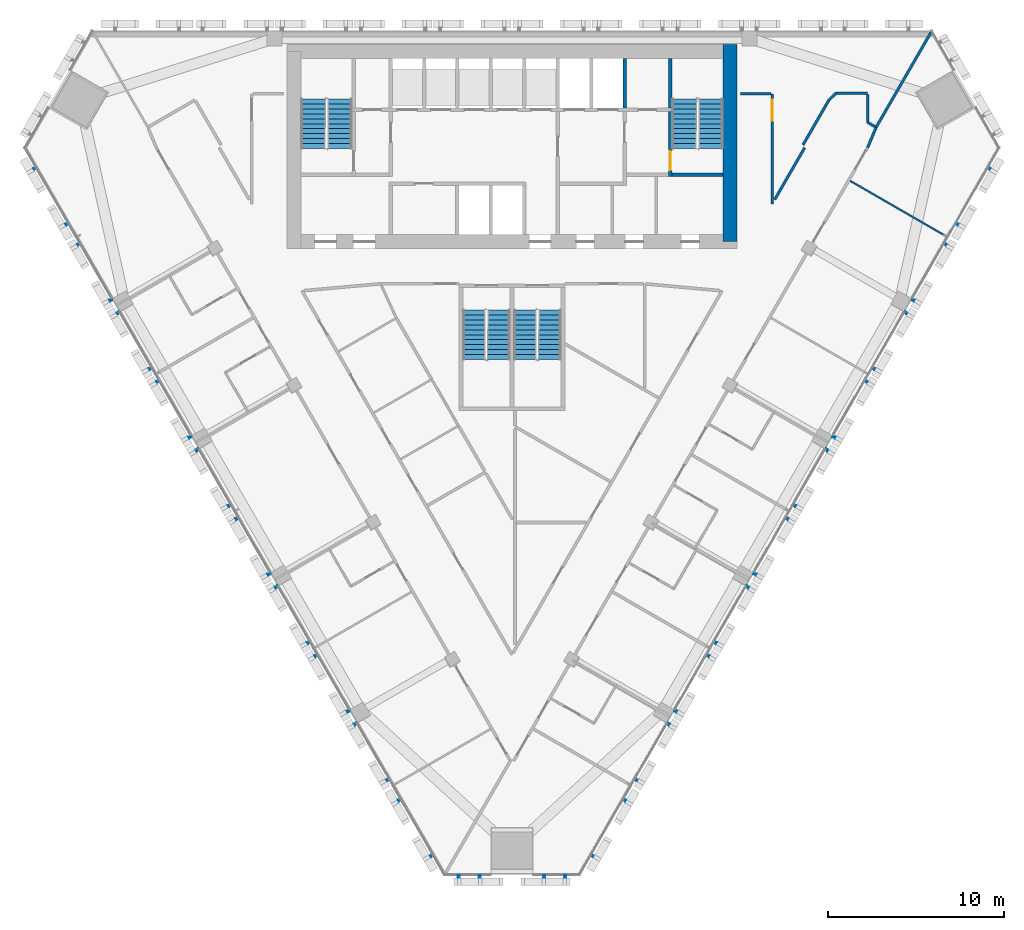
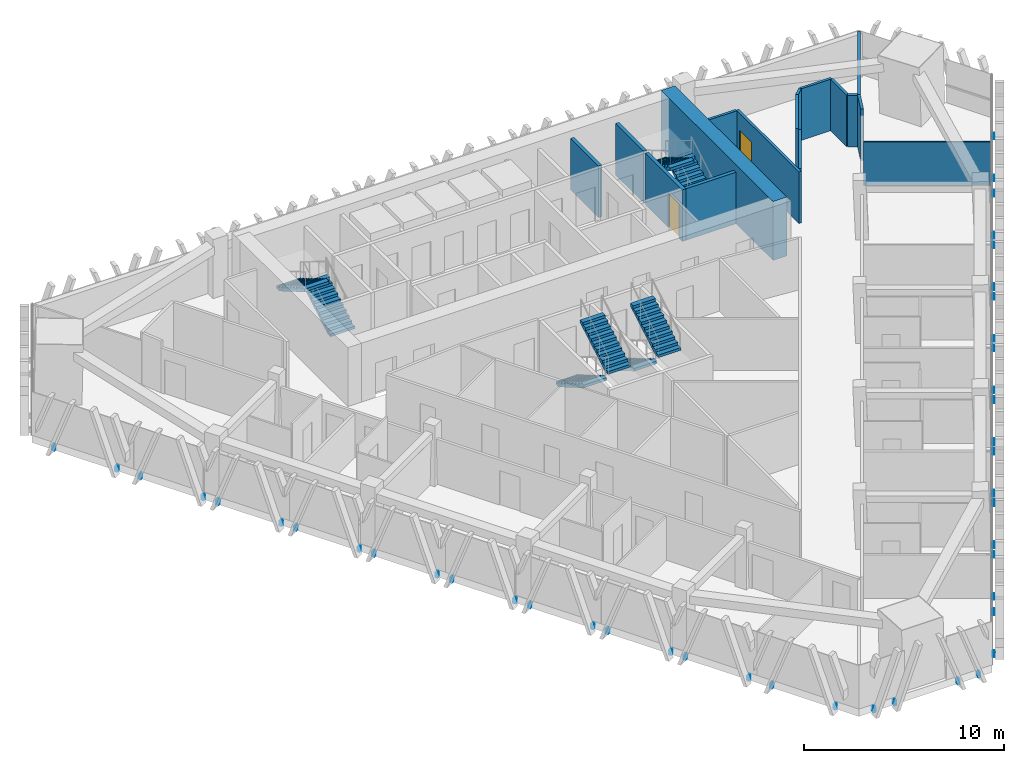
# One storey, part 12 of 16: 16 walls, 8 stair flights, 3 discrete accessories, 2 doors, 2 openings, 4 elements without a shape of their own.
"""IFC4 building model written with IfcOpenShell, lengths in metres."""

from ifc_helpers import new_model, si_unit, direction, frame, frame_2d, origin, place, context, subcontext, project, spatial, polyline, rectangle, outline, extrude, source, transform, mapped, material, layer, layer_set, type_object, element, fill, aggregate, save


model = new_model("IFC4")

# Units and contexts
model_context = context("Model", 3, precision=1e-05, world=origin(), true_north=direction((0.0, 1.0)))
body_context = subcontext(model_context, "Body", "Model", "MODEL_VIEW")
ifc_project = project(units=[si_unit("LENGTHUNIT", "METRE"), si_unit("AREAUNIT", "SQUARE_METRE"), si_unit("VOLUMEUNIT", "CUBIC_METRE"), si_unit("PLANEANGLEUNIT", "RADIAN"), si_unit("MASSUNIT", "GRAM", prefix="KILO")], contexts=[model_context])

# Site, building, storey
site_placement = place(None, origin())
site = spatial("IfcSite", under=ifc_project, at=site_placement, CompositionType="ELEMENT")
building_placement = place(site_placement, origin())
building = spatial("IfcBuilding", under=site, at=building_placement, Name="Altiplano Prism Tower", CompositionType="ELEMENT")
storey_placement = place(building_placement, frame((0.0, 0.0, 135.0)))
storey = spatial("IfcBuildingStorey", under=building, at=storey_placement, Name="L34", CompositionType="ELEMENT", Elevation=135.0)

# Walls
ifc_material_1 = material(Name="Concrete C60/75", Category="concrete")
ifc_layer_1 = layer(ifc_material_1, 0.800048828125)
ifc_layer_set_1 = layer_set([ifc_layer_1], Name="Concrete C60/75")
wall_type_1 = type_object("IfcWallType", Name="Core wall 800", PredefinedType="SHEAR", material=ifc_layer_set_1)
wall_1_placement = place(storey_placement, frame((97.39990234375, 93.0, 0.0), z_axis=(0.0, 0.0, 1.0), x_axis=(0.0, 1.0, 0.0)))
element("IfcWall", 1, at=wall_1_placement, inside=storey, type_object=wall_type_1, Name="Core wall E L34", PredefinedType="SHEAR", context=body_context, shape_type="SweptSolid", body=[
    extrude(rectangle(XDim=11.199951171875, YDim=0.800048828125, at=frame_2d((5.60009765625, 0.0))), origin(), (0.0, 0.0, 1.0), 3.60009765625),
])
ifc_material_2 = material(Name="Plasterboard on steel stud", Category="steel")
ifc_layer_2 = layer(ifc_material_2, 0.10009765625)
ifc_layer_set_2 = layer_set([ifc_layer_2], Name="Plasterboard on steel stud")
wall_type_2 = type_object("IfcWallType", Name="Partition 100 wet", PredefinedType="PARTITIONING", material=ifc_layer_set_2)
wall_2_placement = place(storey_placement, frame((109.7177734375, 93.28466796875, 0.0), z_axis=(0.0, 0.0, 1.0), x_axis=(-0.866025401434, 0.500000004071, 0.0)))
element("IfcWall", 2, at=wall_2_placement, inside=storey, type_object=wall_type_2, Name="Partition P03 L34 064", PredefinedType="PARTITIONING", context=body_context, shape_type="SweptSolid", body=[
    extrude(rectangle(XDim=6.34521484375, YDim=0.10009765625, at=frame_2d((3.172607421875, 0.0))), origin(), (0.0, 0.0, 1.0), 2.64990234375),
])
ifc_layer_3 = layer(ifc_material_2, 0.14990234375)
ifc_layer_set_3 = layer_set([ifc_layer_3], Name="Plasterboard on steel stud")
wall_type_3 = type_object("IfcWallType", Name="Partition 150 corridor", PredefinedType="PARTITIONING", material=ifc_layer_set_3)
wall_3_placement = place(storey_placement, frame((105.22265625, 98.339599609375, 0.0), z_axis=(0.0, 0.0, 1.0), x_axis=(0.385373445666, 0.922760698868, 0.0)))
element("IfcWall", 3, at=wall_3_placement, inside=storey, type_object=wall_type_3, Name="Partition P06 L34 006", PredefinedType="PARTITIONING", context=body_context, shape_type="SweptSolid", body=[
    extrude(rectangle(XDim=1.257568359375, YDim=0.14990234375, at=frame_2d((0.62890625, 0.0))), origin(), (0.0, 0.0, 1.0), 3.14990234375),
])
wall_4_placement = place(storey_placement, frame((105.642822265625, 99.537109375, 0.0), z_axis=(0.0, 0.0, 1.0), x_axis=(-0.865942558441, 0.500143464899, 0.0)))
element("IfcWall", 4, at=wall_4_placement, inside=storey, type_object=wall_type_3, Name="Partition P06 L34 012", PredefinedType="PARTITIONING", context=body_context, shape_type="SweptSolid", body=[
    extrude(rectangle(XDim=0.485107421875, YDim=0.14990234375, at=frame_2d((0.24267578125, 0.0))), origin(), (0.0, 0.0, 1.0), 3.14990234375),
])
wall_5_placement = place(storey_placement, frame((105.22265625, 99.77978515625, 0.0), z_axis=(0.0, 0.0, 1.0), x_axis=(0.0, 1.0, 0.0)))
element("IfcWall", 5, at=wall_5_placement, inside=storey, type_object=wall_type_3, Name="Partition P06 L34 013", PredefinedType="PARTITIONING", context=body_context, shape_type="SweptSolid", body=[
    extrude(rectangle(XDim=1.584716796875, YDim=0.14990234375, at=frame_2d((0.79248046875, 0.0))), origin(), (0.0, 0.0, 1.0), 3.14990234375),
])
wall_6_placement = place(storey_placement, frame((105.22265625, 101.439453125, 0.0), z_axis=(0.0, 0.0, 1.0), x_axis=(-1.0, 0.0, 0.0)))
element("IfcWall", 6, at=wall_6_placement, inside=storey, type_object=wall_type_3, Name="Partition P06 L34 014", PredefinedType="PARTITIONING", context=body_context, shape_type="SweptSolid", body=[
    extrude(rectangle(XDim=1.789794921875, YDim=0.14990234375, at=frame_2d((0.89501953125, 0.0))), origin(), (0.0, 0.0, 1.0), 3.14990234375),
])
wall_7_placement = place(storey_placement, frame((103.432861328125, 101.439453125, 0.0), z_axis=(0.0, 0.0, 1.0), x_axis=(-0.725214952248, -0.688522529069, 0.0)))
element("IfcWall", 7, at=wall_7_placement, inside=storey, type_object=wall_type_3, Name="Partition P06 L34 015", PredefinedType="PARTITIONING", context=body_context, shape_type="SweptSolid", body=[
    extrude(rectangle(XDim=0.565673828125, YDim=0.14990234375, at=frame_2d((0.28271484375, 0.0))), origin(), (0.0, 0.0, 1.0), 3.14990234375),
])
wall_8_placement = place(storey_placement, frame((103.022705078125, 101.050048828125, 0.0), z_axis=(0.0, 0.0, 1.0), x_axis=(-0.499973660256, -0.866040610509, 0.0)))
element("IfcWall", 8, at=wall_8_placement, inside=storey, type_object=wall_type_3, Name="Partition P06 L34 016", PredefinedType="PARTITIONING", context=body_context, shape_type="SweptSolid", body=[
    extrude(rectangle(XDim=2.944580078125, YDim=0.14990234375, at=frame_2d((1.47216796875, 0.0))), origin(), (0.0, 0.0, 1.0), 3.14990234375),
])
wall_9_placement = place(storey_placement, frame((101.64306640625, 98.339599609375, 0.0), z_axis=(0.0, 0.0, 1.0), x_axis=(-0.499962338254, -0.866047146712, 0.0)))
element("IfcWall", 9, at=wall_9_placement, inside=storey, type_object=wall_type_3, Name="Partition P06 L34 017", PredefinedType="PARTITIONING", context=body_context, shape_type="SweptSolid", body=[
    extrude(rectangle(XDim=3.406494140625, YDim=0.14990234375, at=frame_2d((1.703125, 0.0))), origin(), (0.0, 0.0, 1.0), 3.14990234375),
])

# Wall, opening, door
wall_10_placement = place(storey_placement, frame((99.800048828125, 95.147216796875, 0.0), z_axis=(0.0, 0.0, 1.0), x_axis=(0.0, 1.0, 0.0)))
wall_10 = element("IfcWall", 10, at=wall_10_placement, inside=storey, type_object=wall_type_3, Name="Partition P06 L34 018", PredefinedType="PARTITIONING", context=body_context, shape_type="SweptSolid", body=[
    extrude(rectangle(XDim=6.252685546875, YDim=0.14990234375, at=frame_2d((3.12646484375, 0.0))), origin(), (0.0, 0.0, 1.0), 3.14990234375),
])
opening_1_placement = place(wall_10_placement, frame((4.72607421875, 0.0, 0.0)))
opening_1 = element("IfcOpeningElement", 11, at=opening_1_placement, cuts=wall_10, Name="Opening D1251", PredefinedType="OPENING", context=body_context, shape_type="SweptSolid", body=[
    extrude(rectangle(XDim=1.199951171875, YDim=2.10009765625, at=frame_2d((0.60009765625, 1.050048828125))), frame((0.0, 0.08544921875, 0.0), z_axis=(0.0, -1.0, 0.0), x_axis=(1.0, 0.0, 0.0)), (0.0, 0.0, 1.0), 0.1708984375),
])
ifc_material_3 = material(Name="Timber", Category="wood")
door_type_1 = type_object("IfcDoorType", Name="Shared room door 1200 x 2100", OperationType="NOTDEFINED", PredefinedType="NOTDEFINED", material=ifc_material_3)
door_1_placement = place(opening_1_placement, origin())
door_1 = element("IfcDoor", 12, at=door_1_placement, inside=storey, type_object=door_type_1, Name="Door D1251", OperationType="SINGLE_SWING_LEFT", OverallHeight=2.10009765625, OverallWidth=1.199951171875, PredefinedType="NOTDEFINED", context=body_context, shape_type="SweptSolid", body=[
    extrude(rectangle(XDim=1.199951171875, YDim=2.10009765625, at=frame_2d((0.60009765625, 1.050048828125))), frame((0.0, 0.02490234375, 0.0), z_axis=(0.0, -1.0, 0.0), x_axis=(1.0, 0.0, 0.0)), (0.0, 0.0, 1.0), 0.050048828125),
])
fill(opening_1, door_1)

# Walls
wall_11_placement = place(storey_placement, frame((99.72509765625, 101.39990234375, 0.0), z_axis=(0.0, 0.0, 1.0), x_axis=(-1.0, 0.0, 0.0)))
element("IfcWall", 13, at=wall_11_placement, inside=storey, type_object=wall_type_3, Name="Partition P06 L34 019", PredefinedType="PARTITIONING", context=body_context, shape_type="SweptSolid", body=[
    extrude(rectangle(XDim=1.72509765625, YDim=0.14990234375, at=frame_2d((0.862548828125, 0.0))), origin(), (0.0, 0.0, 1.0), 3.14990234375),
])
ifc_layer_4 = layer(ifc_material_2, 0.14990234375)
ifc_layer_set_4 = layer_set([ifc_layer_4], Name="Plasterboard on steel stud")
wall_type_4 = type_object("IfcWallType", Name="Partition 150 party", PredefinedType="PARTITIONING", material=ifc_layer_set_4)
wall_12_placement = place(storey_placement, frame((108.824951171875, 104.89990234375, 0.0), z_axis=(0.0, 0.0, 1.0), x_axis=(-0.500004896655, -0.866022576681, 0.0)))
element("IfcWall", 14, at=wall_12_placement, inside=storey, type_object=wall_type_4, Name="Partition P01 L34 065", PredefinedType="PARTITIONING", context=body_context, shape_type="SweptSolid", body=[
    extrude(rectangle(XDim=6.2353515625, YDim=0.14990234375, at=frame_2d((3.11767578125, 0.0))), origin(), (0.0, 0.0, 1.0), 2.64990234375),
])
ifc_layer_5 = layer(ifc_material_1, 0.199951171875)
ifc_layer_set_5 = layer_set([ifc_layer_5], Name="Concrete C60/75")
wall_type_5 = type_object("IfcWallType", Name="Shaft wall 200", PredefinedType="SOLIDWALL", material=ifc_layer_set_5)
wall_13_placement = place(storey_placement, frame((91.39990234375, 100.60009765625, 0.0), z_axis=(0.0, 0.0, 1.0), x_axis=(0.0, 1.0, 0.0)))
element("IfcWall", 15, at=wall_13_placement, inside=storey, type_object=wall_type_5, Name="Shaft wall L34", PredefinedType="SOLIDWALL", context=body_context, shape_type="SweptSolid", body=[
    extrude(rectangle(XDim=2.7998046875, YDim=0.199951171875, at=frame_2d((1.39990234375, 0.0))), origin(), (0.0, 0.0, 1.0), 3.14990234375),
])

# Wall, opening, door
ifc_layer_6 = layer(ifc_material_1, 0.199951171875)
ifc_layer_set_6 = layer_set([ifc_layer_6], Name="Concrete C60/75")
wall_type_6 = type_object("IfcWallType", Name="Stair wall 200", PredefinedType="SOLIDWALL", material=ifc_layer_set_6)
wall_14_placement = place(storey_placement, frame((94.0, 96.699951171875, 0.0), z_axis=(0.0, 0.0, 1.0), x_axis=(0.0, 1.0, 0.0)))
wall_14 = element("IfcWall", 16, at=wall_14_placement, inside=storey, type_object=wall_type_6, Name="Stair wall L34", PredefinedType="SOLIDWALL", context=body_context, shape_type="SweptSolid", body=[
    extrude(rectangle(XDim=3.699951171875, YDim=0.199951171875, at=frame_2d((1.85009765625, 0.0))), origin(), (0.0, 0.0, 1.0), 3.14990234375),
])
opening_2_placement = place(wall_14_placement, frame((0.35009765625, 0.0, 0.0)))
opening_2 = element("IfcOpeningElement", 17, at=opening_2_placement, cuts=wall_14, Name="Opening D3040", PredefinedType="OPENING", context=body_context, shape_type="SweptSolid", body=[
    extrude(rectangle(XDim=1.10009765625, YDim=2.10009765625, at=frame_2d((0.550048828125, 1.050048828125))), frame((0.0, 0.1103515625, 0.0), z_axis=(0.0, -1.0, 0.0), x_axis=(1.0, 0.0, 0.0)), (0.0, 0.0, 1.0), 0.220947265625),
])
ifc_material_4 = material(Name="Fire-rated steel door", Category="steel")
door_type_2 = type_object("IfcDoorType", Name="Stair fire door 1100 x 2100", OperationType="NOTDEFINED", PredefinedType="NOTDEFINED", material=ifc_material_4)
door_2_placement = place(opening_2_placement, origin())
door_2 = element("IfcDoor", 18, at=door_2_placement, inside=storey, type_object=door_type_2, Name="Stair fire door D3040", OperationType="SINGLE_SWING_LEFT", OverallHeight=2.10009765625, OverallWidth=1.10009765625, PredefinedType="NOTDEFINED", context=body_context, shape_type="SweptSolid", body=[
    extrude(rectangle(XDim=1.10009765625, YDim=2.10009765625, at=frame_2d((0.550048828125, 1.050048828125))), frame((0.0, 0.02490234375, 0.0), z_axis=(0.0, -1.0, 0.0), x_axis=(1.0, 0.0, 0.0)), (0.0, 0.0, 1.0), 0.050048828125),
])
fill(opening_2, door_2)

# Walls
wall_15_placement = place(storey_placement, frame((94.10009765625, 96.800048828125, 0.0), z_axis=(0.0, 0.0, 1.0), x_axis=(1.0, 0.0, 0.0)))
element("IfcWall", 19, at=wall_15_placement, inside=storey, type_object=wall_type_6, Name="Stair wall L34", PredefinedType="SOLIDWALL", context=body_context, shape_type="SweptSolid", body=[
    extrude(rectangle(XDim=2.89990234375, YDim=0.199951171875, at=frame_2d((1.449951171875, 0.0))), origin(), (0.0, 0.0, 1.0), 3.14990234375),
])
wall_16_placement = place(storey_placement, frame((94.0, 100.60009765625, 0.0), z_axis=(0.0, 0.0, 1.0), x_axis=(0.0, 1.0, 0.0)))
element("IfcWall", 20, at=wall_16_placement, inside=storey, type_object=wall_type_6, Name="Stair wall L34", PredefinedType="SOLIDWALL", context=body_context, shape_type="SweptSolid", body=[
    extrude(rectangle(XDim=2.7998046875, YDim=0.199951171875, at=frame_2d((1.39990234375, 0.0))), origin(), (0.0, 0.0, 1.0), 3.14990234375),
])

# Stair, stair flights
ifc_material_5 = material(Name="Concrete C40/50", Category="concrete")
stair_type_1 = type_object("IfcStairType", Name="Exit stair 1400", PredefinedType="HALF_TURN_STAIR", material=ifc_material_5)
stair_1_placement = place(storey_placement, origin())
stair_1 = element("IfcStair", 21, at=stair_1_placement, inside=storey, type_object=stair_type_1, Name="L34 Exit Stair 1", PredefinedType="HALF_TURN_STAIR")
stair_flight_type = type_object("IfcStairFlightType", Name="Stair flight concrete 150", PredefinedType="STRAIGHT", material=ifc_material_5)
stair_flight_1_placement = place(storey_placement, frame((75.199951171875, 98.300048828125, 0.0), z_axis=(0.0, 0.0, 1.0), x_axis=(0.0, 1.0, 0.0)))
stair_flight_1 = element("IfcStairFlight", 22, at=stair_flight_1_placement, type_object=stair_flight_type, Name="ST1 flight 1", NumberOfRisers=11, NumberOfTreads=10, PredefinedType="STRAIGHT", RiserHeight=0.163636364, TreadLength=0.28, context=body_context, shape_type="SweptSolid", body=[
    extrude(outline(polyline([(0.0, 0.0), (0.0, 0.16357421875), (0.280029296875, 0.16357421875), (0.280029296875, 0.327392578125), (0.56005859375, 0.327392578125), (0.56005859375, 0.490966796875), (0.840087890625, 0.490966796875), (0.840087890625, 0.654541015625), (1.1201171875, 0.654541015625), (1.1201171875, 0.818115234375), (1.39990234375, 0.818115234375), (1.39990234375, 0.98193359375), (1.679931640625, 0.98193359375), (1.679931640625, 1.1455078125), (1.9599609375, 1.1455078125), (1.9599609375, 1.30908203125), (2.239990234375, 1.30908203125), (2.239990234375, 1.47265625), (2.52001953125, 1.47265625), (2.52001953125, 1.636474609375), (2.800048828125, 1.636474609375), (2.800048828125, 1.800048828125), (2.800048828125, 1.462646484375), (0.297119140625, 0.0), (0.0, 0.0)])), frame((0.0, 0.699951171875, 0.0), z_axis=(0.0, -1.0, 0.0), x_axis=(1.0, 0.0, 0.0)), (0.0, 0.0, 1.0), 1.39990234375),
])
stair_flight_2_placement = place(storey_placement, frame((73.699951171875, 101.10009765625, 1.800048828125), z_axis=(0.0, 0.0, 1.0), x_axis=(0.0, -1.0, 0.0)))
stair_flight_2 = element("IfcStairFlight", 23, at=stair_flight_2_placement, type_object=stair_flight_type, Name="ST1 flight 2", NumberOfRisers=11, NumberOfTreads=10, PredefinedType="STRAIGHT", RiserHeight=0.163636364, TreadLength=0.28, context=body_context, shape_type="SweptSolid", body=[
    extrude(outline(polyline([(0.0, 0.0), (0.0, 0.16357421875), (0.280029296875, 0.16357421875), (0.280029296875, 0.327392578125), (0.56005859375, 0.327392578125), (0.56005859375, 0.490966796875), (0.840087890625, 0.490966796875), (0.840087890625, 0.654541015625), (1.1201171875, 0.654541015625), (1.1201171875, 0.818115234375), (1.39990234375, 0.818115234375), (1.39990234375, 0.98193359375), (1.679931640625, 0.98193359375), (1.679931640625, 1.1455078125), (1.9599609375, 1.1455078125), (1.9599609375, 1.30908203125), (2.239990234375, 1.30908203125), (2.239990234375, 1.47265625), (2.52001953125, 1.47265625), (2.52001953125, 1.636474609375), (2.800048828125, 1.636474609375), (2.800048828125, 1.800048828125), (2.800048828125, 1.462646484375), (0.297119140625, 0.0), (0.0, 0.0)])), frame((0.0, 0.699951171875, 0.0), z_axis=(0.0, -1.0, 0.0), x_axis=(1.0, 0.0, 0.0)), (0.0, 0.0, 1.0), 1.39990234375),
])
aggregate(stair_1, [stair_flight_1, stair_flight_2])

stair_2_placement = place(storey_placement, origin())
stair_2 = element("IfcStair", 24, at=stair_2_placement, inside=storey, type_object=stair_type_1, Name="L34 Exit Stair 2", PredefinedType="HALF_TURN_STAIR")
stair_flight_3_placement = place(storey_placement, frame((96.300048828125, 98.300048828125, 0.0), z_axis=(0.0, 0.0, 1.0), x_axis=(0.0, 1.0, 0.0)))
stair_flight_3 = element("IfcStairFlight", 25, at=stair_flight_3_placement, type_object=stair_flight_type, Name="ST2 flight 1", NumberOfRisers=11, NumberOfTreads=10, PredefinedType="STRAIGHT", RiserHeight=0.163636364, TreadLength=0.28, context=body_context, shape_type="SweptSolid", body=[
    extrude(outline(polyline([(0.0, 0.0), (0.0, 0.16357421875), (0.280029296875, 0.16357421875), (0.280029296875, 0.327392578125), (0.56005859375, 0.327392578125), (0.56005859375, 0.490966796875), (0.840087890625, 0.490966796875), (0.840087890625, 0.654541015625), (1.1201171875, 0.654541015625), (1.1201171875, 0.818115234375), (1.39990234375, 0.818115234375), (1.39990234375, 0.98193359375), (1.679931640625, 0.98193359375), (1.679931640625, 1.1455078125), (1.9599609375, 1.1455078125), (1.9599609375, 1.30908203125), (2.239990234375, 1.30908203125), (2.239990234375, 1.47265625), (2.52001953125, 1.47265625), (2.52001953125, 1.636474609375), (2.800048828125, 1.636474609375), (2.800048828125, 1.800048828125), (2.800048828125, 1.462646484375), (0.297119140625, 0.0), (0.0, 0.0)])), frame((0.0, 0.699951171875, 0.0), z_axis=(0.0, -1.0, 0.0), x_axis=(1.0, 0.0, 0.0)), (0.0, 0.0, 1.0), 1.39990234375),
])
stair_flight_4_placement = place(storey_placement, frame((94.800048828125, 101.10009765625, 1.800048828125), z_axis=(0.0, 0.0, 1.0), x_axis=(0.0, -1.0, 0.0)))
stair_flight_4 = element("IfcStairFlight", 26, at=stair_flight_4_placement, type_object=stair_flight_type, Name="ST2 flight 2", NumberOfRisers=11, NumberOfTreads=10, PredefinedType="STRAIGHT", RiserHeight=0.163636364, TreadLength=0.28, context=body_context, shape_type="SweptSolid", body=[
    extrude(outline(polyline([(0.0, 0.0), (0.0, 0.16357421875), (0.280029296875, 0.16357421875), (0.280029296875, 0.327392578125), (0.56005859375, 0.327392578125), (0.56005859375, 0.490966796875), (0.840087890625, 0.490966796875), (0.840087890625, 0.654541015625), (1.1201171875, 0.654541015625), (1.1201171875, 0.818115234375), (1.39990234375, 0.818115234375), (1.39990234375, 0.98193359375), (1.679931640625, 0.98193359375), (1.679931640625, 1.1455078125), (1.9599609375, 1.1455078125), (1.9599609375, 1.30908203125), (2.239990234375, 1.30908203125), (2.239990234375, 1.47265625), (2.52001953125, 1.47265625), (2.52001953125, 1.636474609375), (2.800048828125, 1.636474609375), (2.800048828125, 1.800048828125), (2.800048828125, 1.462646484375), (0.297119140625, 0.0), (0.0, 0.0)])), frame((0.0, 0.699951171875, 0.0), z_axis=(0.0, -1.0, 0.0), x_axis=(1.0, 0.0, 0.0)), (0.0, 0.0, 1.0), 1.39990234375),
])
aggregate(stair_2, [stair_flight_3, stair_flight_4])

stair_type_2 = type_object("IfcStairType", Name="Exit stair 1300", PredefinedType="HALF_TURN_STAIR", material=ifc_material_5)
stair_3_placement = place(storey_placement, origin())
stair_3 = element("IfcStair", 27, at=stair_3_placement, inside=storey, type_object=stair_type_2, Name="L34 Exit Stair 3A", PredefinedType="HALF_TURN_STAIR")
stair_flight_5_placement = place(storey_placement, frame((82.85009765625, 89.10009765625, 0.0), z_axis=(0.0, 0.0, 1.0), x_axis=(0.0, -1.0, 0.0)))
stair_flight_5 = element("IfcStairFlight", 28, at=stair_flight_5_placement, type_object=stair_flight_type, Name="ST3A flight 1", NumberOfRisers=11, NumberOfTreads=10, PredefinedType="STRAIGHT", RiserHeight=0.163636364, TreadLength=0.28, context=body_context, shape_type="SweptSolid", body=[
    extrude(outline(polyline([(0.0, 0.0), (0.0, 0.16357421875), (0.280029296875, 0.16357421875), (0.280029296875, 0.327392578125), (0.56005859375, 0.327392578125), (0.56005859375, 0.490966796875), (0.840087890625, 0.490966796875), (0.840087890625, 0.654541015625), (1.1201171875, 0.654541015625), (1.1201171875, 0.818115234375), (1.39990234375, 0.818115234375), (1.39990234375, 0.98193359375), (1.679931640625, 0.98193359375), (1.679931640625, 1.1455078125), (1.9599609375, 1.1455078125), (1.9599609375, 1.30908203125), (2.239990234375, 1.30908203125), (2.239990234375, 1.47265625), (2.52001953125, 1.47265625), (2.52001953125, 1.636474609375), (2.800048828125, 1.636474609375), (2.800048828125, 1.800048828125), (2.800048828125, 1.462646484375), (0.297119140625, 0.0), (0.0, 0.0)])), frame((0.0, 0.64990234375, 0.0), z_axis=(0.0, -1.0, 0.0), x_axis=(1.0, 0.0, 0.0)), (0.0, 0.0, 1.0), 1.300048828125),
])
stair_flight_6_placement = place(storey_placement, frame((84.25, 86.300048828125, 1.800048828125), z_axis=(0.0, 0.0, 1.0), x_axis=(0.0, 1.0, 0.0)))
stair_flight_6 = element("IfcStairFlight", 29, at=stair_flight_6_placement, type_object=stair_flight_type, Name="ST3A flight 2", NumberOfRisers=11, NumberOfTreads=10, PredefinedType="STRAIGHT", RiserHeight=0.163636364, TreadLength=0.28, context=body_context, shape_type="SweptSolid", body=[
    extrude(outline(polyline([(0.0, 0.0), (0.0, 0.16357421875), (0.280029296875, 0.16357421875), (0.280029296875, 0.327392578125), (0.56005859375, 0.327392578125), (0.56005859375, 0.490966796875), (0.840087890625, 0.490966796875), (0.840087890625, 0.654541015625), (1.1201171875, 0.654541015625), (1.1201171875, 0.818115234375), (1.39990234375, 0.818115234375), (1.39990234375, 0.98193359375), (1.679931640625, 0.98193359375), (1.679931640625, 1.1455078125), (1.9599609375, 1.1455078125), (1.9599609375, 1.30908203125), (2.239990234375, 1.30908203125), (2.239990234375, 1.47265625), (2.52001953125, 1.47265625), (2.52001953125, 1.636474609375), (2.800048828125, 1.636474609375), (2.800048828125, 1.800048828125), (2.800048828125, 1.462646484375), (0.297119140625, 0.0), (0.0, 0.0)])), frame((0.0, 0.64990234375, 0.0), z_axis=(0.0, -1.0, 0.0), x_axis=(1.0, 0.0, 0.0)), (0.0, 0.0, 1.0), 1.300048828125),
])
aggregate(stair_3, [stair_flight_5, stair_flight_6])

stair_4_placement = place(storey_placement, origin())
stair_4 = element("IfcStair", 30, at=stair_4_placement, inside=storey, type_object=stair_type_2, Name="L34 Exit Stair 3B", PredefinedType="HALF_TURN_STAIR")
stair_flight_7_placement = place(storey_placement, frame((85.75, 89.10009765625, 0.0), z_axis=(0.0, 0.0, 1.0), x_axis=(0.0, -1.0, 0.0)))
stair_flight_7 = element("IfcStairFlight", 31, at=stair_flight_7_placement, type_object=stair_flight_type, Name="ST3B flight 1", NumberOfRisers=11, NumberOfTreads=10, PredefinedType="STRAIGHT", RiserHeight=0.163636364, TreadLength=0.28, context=body_context, shape_type="SweptSolid", body=[
    extrude(outline(polyline([(0.0, 0.0), (0.0, 0.16357421875), (0.280029296875, 0.16357421875), (0.280029296875, 0.327392578125), (0.56005859375, 0.327392578125), (0.56005859375, 0.490966796875), (0.840087890625, 0.490966796875), (0.840087890625, 0.654541015625), (1.1201171875, 0.654541015625), (1.1201171875, 0.818115234375), (1.39990234375, 0.818115234375), (1.39990234375, 0.98193359375), (1.679931640625, 0.98193359375), (1.679931640625, 1.1455078125), (1.9599609375, 1.1455078125), (1.9599609375, 1.30908203125), (2.239990234375, 1.30908203125), (2.239990234375, 1.47265625), (2.52001953125, 1.47265625), (2.52001953125, 1.636474609375), (2.800048828125, 1.636474609375), (2.800048828125, 1.800048828125), (2.800048828125, 1.462646484375), (0.297119140625, 0.0), (0.0, 0.0)])), frame((0.0, 0.64990234375, 0.0), z_axis=(0.0, -1.0, 0.0), x_axis=(1.0, 0.0, 0.0)), (0.0, 0.0, 1.0), 1.300048828125),
])
stair_flight_8_placement = place(storey_placement, frame((87.14990234375, 86.300048828125, 1.800048828125), z_axis=(0.0, 0.0, 1.0), x_axis=(0.0, 1.0, 0.0)))
stair_flight_8 = element("IfcStairFlight", 32, at=stair_flight_8_placement, type_object=stair_flight_type, Name="ST3B flight 2", NumberOfRisers=11, NumberOfTreads=10, PredefinedType="STRAIGHT", RiserHeight=0.163636364, TreadLength=0.28, context=body_context, shape_type="SweptSolid", body=[
    extrude(outline(polyline([(0.0, 0.0), (0.0, 0.16357421875), (0.280029296875, 0.16357421875), (0.280029296875, 0.327392578125), (0.56005859375, 0.327392578125), (0.56005859375, 0.490966796875), (0.840087890625, 0.490966796875), (0.840087890625, 0.654541015625), (1.1201171875, 0.654541015625), (1.1201171875, 0.818115234375), (1.39990234375, 0.818115234375), (1.39990234375, 0.98193359375), (1.679931640625, 0.98193359375), (1.679931640625, 1.1455078125), (1.9599609375, 1.1455078125), (1.9599609375, 1.30908203125), (2.239990234375, 1.30908203125), (2.239990234375, 1.47265625), (2.52001953125, 1.47265625), (2.52001953125, 1.636474609375), (2.800048828125, 1.636474609375), (2.800048828125, 1.800048828125), (2.800048828125, 1.462646484375), (0.297119140625, 0.0), (0.0, 0.0)])), frame((0.0, 0.64990234375, 0.0), z_axis=(0.0, -1.0, 0.0), x_axis=(1.0, 0.0, 0.0)), (0.0, 0.0, 1.0), 1.300048828125),
])
aggregate(stair_4, [stair_flight_7, stair_flight_8])

# Discrete accessories
ifc_material_6 = material(Name="Stainless steel", Category="steel")
discrete_accessory_type = type_object("IfcDiscreteAccessoryType", Name="Stone fin fixing prongs", PredefinedType="USERDEFINED", material=ifc_material_6)
shared_shape_1 = source(origin(), body_context, "Body", "SweptSolid", [
    extrude(outline(polyline([(-1.888427734375, 0.06005859375), (-1.768310546875, 0.06005859375), (-1.768310546875, 0.389892578125), (-1.888427734375, 0.389892578125), (-1.888427734375, 0.06005859375)])), frame((0.0, 0.0, 0.0), z_axis=(0.0, -1.0, 0.0), x_axis=(1.0, 0.0, 0.0)), (0.0, 0.0, 1.0), 0.14990234375),
    extrude(outline(polyline([(1.768310546875, 0.06005859375), (1.888427734375, 0.06005859375), (1.888427734375, 0.389892578125), (1.768310546875, 0.389892578125), (1.768310546875, 0.06005859375)])), frame((0.0, 0.0, 0.0), z_axis=(0.0, -1.0, 0.0), x_axis=(1.0, 0.0, 0.0)), (0.0, 0.0, 1.0), 0.14990234375),
])
shared_shape_2 = source(origin(), body_context, "Body", "SweptSolid", [
    extrude(outline(polyline([(-1.888427734375, 0.06005859375), (-1.768310546875, 0.06005859375), (-1.768310546875, 0.389892578125), (-1.888427734375, 0.389892578125), (-1.888427734375, 0.06005859375)])), frame((0.0, 0.0, 0.0), z_axis=(0.0, -1.0, 0.0), x_axis=(1.0, 0.0, 0.0)), (0.0, 0.0, 1.0), 0.14990234375),
    extrude(outline(polyline([(1.768310546875, 0.06005859375), (1.888427734375, 0.06005859375), (1.888427734375, 0.389892578125), (1.768310546875, 0.389892578125), (1.768310546875, 0.06005859375)])), frame((0.0, 0.0, 0.0), z_axis=(0.0, -1.0, 0.0), x_axis=(1.0, 0.0, 0.0)), (0.0, 0.0, 1.0), 0.14990234375),
])
discrete_accessory_1_placement = place(storey_placement, origin())
element("IfcDiscreteAccessory", 33, at=discrete_accessory_1_placement, inside=storey, type_object=discrete_accessory_type, Name="Fin fixings L34 south-west face", ObjectType="BRACKET", PredefinedType="USERDEFINED", context=body_context, shape_type="MappedRepresentation", body=[
    mapped(shared_shape_1, transform((58.842529296875, 95.618896484375, -0.449951171875), x_axis=(0.500000004206, -0.866025401356, 0.0), y_axis=(0.866025401356, 0.500000004206, 0.0), z_axis=(0.0, 0.0, 1.0))),
    mapped(shared_shape_2, transform((61.338134765625, 91.29638671875, -0.449951171875), x_axis=(0.500000004206, -0.866025401356, 0.0), y_axis=(0.866025401356, 0.500000004206, 0.0), z_axis=(0.0, 0.0, 1.0))),
    mapped(shared_shape_2, transform((63.588134765625, 87.399169921875, -0.449951171875), x_axis=(0.500000004206, -0.866025401356, 0.0), y_axis=(0.866025401356, 0.500000004206, 0.0), z_axis=(0.0, 0.0, 1.0))),
    mapped(shared_shape_2, transform((65.838134765625, 83.501953125, -0.449951171875), x_axis=(0.500000004206, -0.866025401356, 0.0), y_axis=(0.866025401356, 0.500000004206, 0.0), z_axis=(0.0, 0.0, 1.0))),
    mapped(shared_shape_2, transform((68.088134765625, 79.60498046875, -0.449951171875), x_axis=(0.500000004206, -0.866025401356, 0.0), y_axis=(0.866025401356, 0.500000004206, 0.0), z_axis=(0.0, 0.0, 1.0))),
    mapped(shared_shape_2, transform((70.338134765625, 75.707763671875, -0.449951171875), x_axis=(0.500000004206, -0.866025401356, 0.0), y_axis=(0.866025401356, 0.500000004206, 0.0), z_axis=(0.0, 0.0, 1.0))),
    mapped(shared_shape_2, transform((72.588134765625, 71.810791015625, -0.449951171875), x_axis=(0.500000004206, -0.866025401356, 0.0), y_axis=(0.866025401356, 0.500000004206, 0.0), z_axis=(0.0, 0.0, 1.0))),
    mapped(shared_shape_2, transform((74.838134765625, 67.91357421875, -0.449951171875), x_axis=(0.500000004206, -0.866025401356, 0.0), y_axis=(0.866025401356, 0.500000004206, 0.0), z_axis=(0.0, 0.0, 1.0))),
    mapped(shared_shape_2, transform((77.088134765625, 64.0166015625, -0.449951171875), x_axis=(0.500000004206, -0.866025401356, 0.0), y_axis=(0.866025401356, 0.500000004206, 0.0), z_axis=(0.0, 0.0, 1.0))),
    mapped(shared_shape_1, transform((79.583740234375, 59.69384765625, -0.449951171875), x_axis=(0.500000004206, -0.866025401356, 0.0), y_axis=(0.866025401356, 0.500000004206, 0.0), z_axis=(0.0, 0.0, 1.0))),
])
discrete_accessory_2_placement = place(storey_placement, origin())
element("IfcDiscreteAccessory", 34, at=discrete_accessory_2_placement, inside=storey, type_object=discrete_accessory_type, Name="Fin fixings L34 south-east face", ObjectType="BRACKET", PredefinedType="USERDEFINED", context=body_context, shape_type="MappedRepresentation", body=[
    mapped(shared_shape_1, transform((90.416259765625, 59.69384765625, -0.449951171875), x_axis=(0.500000004206, 0.866025401356, 0.0), y_axis=(-0.866025401356, 0.500000004206, 0.0), z_axis=(0.0, 0.0, 1.0))),
    mapped(shared_shape_2, transform((92.911865234375, 64.0166015625, -0.449951171875), x_axis=(0.500000004206, 0.866025401356, 0.0), y_axis=(-0.866025401356, 0.500000004206, 0.0), z_axis=(0.0, 0.0, 1.0))),
    mapped(shared_shape_2, transform((95.161865234375, 67.91357421875, -0.449951171875), x_axis=(0.500000004206, 0.866025401356, 0.0), y_axis=(-0.866025401356, 0.500000004206, 0.0), z_axis=(0.0, 0.0, 1.0))),
    mapped(shared_shape_2, transform((97.411865234375, 71.810791015625, -0.449951171875), x_axis=(0.500000004206, 0.866025401356, 0.0), y_axis=(-0.866025401356, 0.500000004206, 0.0), z_axis=(0.0, 0.0, 1.0))),
    mapped(shared_shape_2, transform((99.661865234375, 75.707763671875, -0.449951171875), x_axis=(0.500000004206, 0.866025401356, 0.0), y_axis=(-0.866025401356, 0.500000004206, 0.0), z_axis=(0.0, 0.0, 1.0))),
    mapped(shared_shape_2, transform((101.911865234375, 79.60498046875, -0.449951171875), x_axis=(0.500000004206, 0.866025401356, 0.0), y_axis=(-0.866025401356, 0.500000004206, 0.0), z_axis=(0.0, 0.0, 1.0))),
    mapped(shared_shape_2, transform((104.161865234375, 83.501953125, -0.449951171875), x_axis=(0.500000004206, 0.866025401356, 0.0), y_axis=(-0.866025401356, 0.500000004206, 0.0), z_axis=(0.0, 0.0, 1.0))),
    mapped(shared_shape_2, transform((106.411865234375, 87.399169921875, -0.449951171875), x_axis=(0.500000004206, 0.866025401356, 0.0), y_axis=(-0.866025401356, 0.500000004206, 0.0), z_axis=(0.0, 0.0, 1.0))),
    mapped(shared_shape_2, transform((108.661865234375, 91.29638671875, -0.449951171875), x_axis=(0.500000004206, 0.866025401356, 0.0), y_axis=(-0.866025401356, 0.500000004206, 0.0), z_axis=(0.0, 0.0, 1.0))),
    mapped(shared_shape_1, transform((111.157470703125, 95.618896484375, -0.449951171875), x_axis=(0.500000004206, 0.866025401356, 0.0), y_axis=(-0.866025401356, 0.500000004206, 0.0), z_axis=(0.0, 0.0, 1.0))),
])
shared_shape_3 = source(origin(), body_context, "Body", "SweptSolid", [
    extrude(outline(polyline([(-3.08837890625, 0.06005859375), (-2.968505859375, 0.06005859375), (-2.968505859375, 0.389892578125), (-3.08837890625, 0.389892578125), (-3.08837890625, 0.06005859375)])), frame((0.0, 0.0, 0.0), z_axis=(0.0, -1.0, 0.0), x_axis=(1.0, 0.0, 0.0)), (0.0, 0.0, 1.0), 0.14990234375),
    extrude(outline(polyline([(-1.888427734375, 0.06005859375), (-1.768310546875, 0.06005859375), (-1.768310546875, 0.389892578125), (-1.888427734375, 0.389892578125), (-1.888427734375, 0.06005859375)])), frame((0.0, 0.0, 0.0), z_axis=(0.0, -1.0, 0.0), x_axis=(1.0, 0.0, 0.0)), (0.0, 0.0, 1.0), 0.14990234375),
    extrude(outline(polyline([(1.768310546875, 0.06005859375), (1.888427734375, 0.06005859375), (1.888427734375, 0.389892578125), (1.768310546875, 0.389892578125), (1.768310546875, 0.06005859375)])), frame((0.0, 0.0, 0.0), z_axis=(0.0, -1.0, 0.0), x_axis=(1.0, 0.0, 0.0)), (0.0, 0.0, 1.0), 0.14990234375),
    extrude(outline(polyline([(2.968505859375, 0.06005859375), (3.08837890625, 0.06005859375), (3.08837890625, 0.389892578125), (2.968505859375, 0.389892578125), (2.968505859375, 0.06005859375)])), frame((0.0, 0.0, 0.0), z_axis=(0.0, -1.0, 0.0), x_axis=(1.0, 0.0, 0.0)), (0.0, 0.0, 1.0), 0.14990234375),
])
discrete_accessory_3_placement = place(storey_placement, origin())
element("IfcDiscreteAccessory", 35, at=discrete_accessory_3_placement, inside=storey, type_object=discrete_accessory_type, Name="Fin fixings L34 south chamfer", ObjectType="BRACKET", PredefinedType="USERDEFINED", context=body_context, shape_type="MappedRepresentation", body=[
    mapped(shared_shape_3, transform((85.0, 56.973388671875, -0.449951171875), x_axis=(1.0, 0.0, 0.0), y_axis=(0.0, 1.0, 0.0), z_axis=(0.0, 0.0, 1.0))),
])

save(model, "model.ifc")
